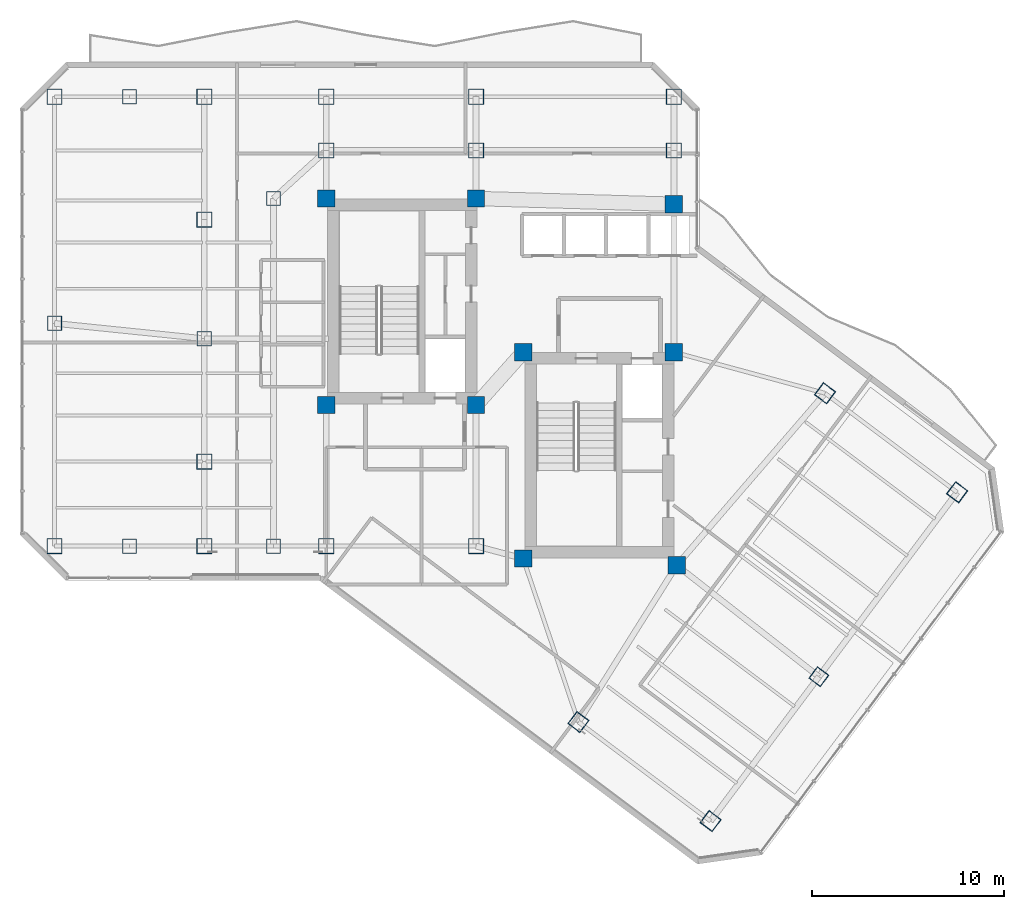
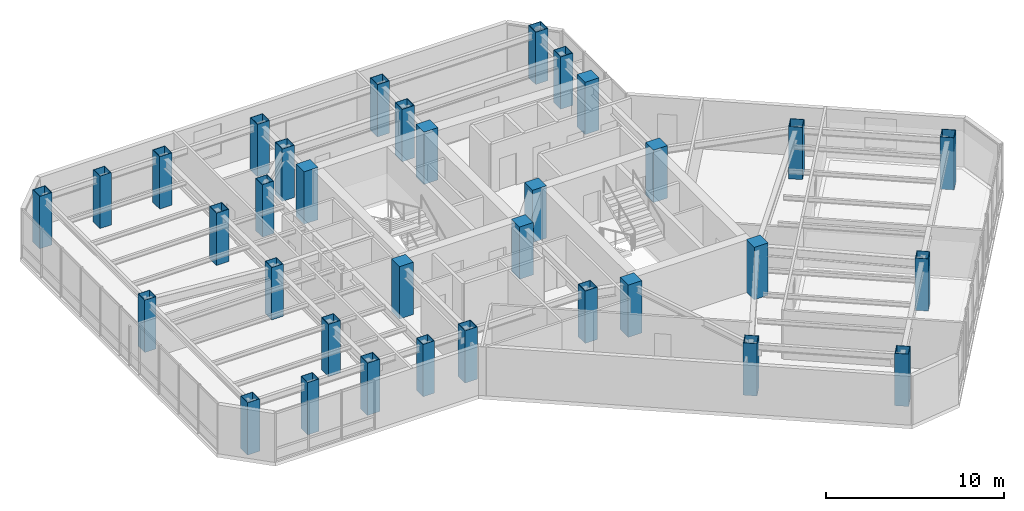
# One storey, part 1 of 27: 34 columns.
"""IFC4 building model written with IfcOpenShell, lengths in metres."""

from ifc_helpers import new_model, si_unit, direction, frame, origin, origin_2d, place, context, subcontext, project, spatial, rectangle, hollow_rectangle, extrude, material, material_profile, profile_set, type_object, element, save


model = new_model("IFC4")

# Units and contexts
model_context = context("Model", 3, precision=1e-05, world=origin(), true_north=direction((0.0, 1.0)))
body_context = subcontext(model_context, "Body", "Model", "MODEL_VIEW")
ifc_project = project(units=[si_unit("LENGTHUNIT", "METRE"), si_unit("AREAUNIT", "SQUARE_METRE"), si_unit("VOLUMEUNIT", "CUBIC_METRE"), si_unit("PLANEANGLEUNIT", "RADIAN"), si_unit("MASSUNIT", "GRAM", prefix="KILO")], contexts=[model_context])

# Site, building, storey
site_placement = place(None, origin())
site = spatial("IfcSite", under=ifc_project, at=site_placement, CompositionType="ELEMENT")
building_placement = place(site_placement, origin())
building = spatial("IfcBuilding", under=site, at=building_placement, Name="Hatsunagi Terrace Concourse", CompositionType="ELEMENT")
storey_placement = place(building_placement, frame((0.0, 0.0, 174.449951171875)))
storey = spatial("IfcBuildingStorey", under=building, at=storey_placement, Name="L46", CompositionType="ELEMENT", Elevation=174.449951171875)

# Columns
ifc_material_1 = material(Name="Concrete Fc48", Category="concrete")
ifc_material_profile_1 = material_profile(ifc_material_1, rectangle(XDim=0.89990234375, YDim=0.89990234375, at=origin_2d()), Name="RC-900x900")
ifc_profile_set_1 = profile_set([ifc_material_profile_1], Name="Concrete Fc48")
column_type_1 = type_object("IfcColumnType", Name="CoreColumn_RC_900x900", PredefinedType="COLUMN", material=ifc_profile_set_1)
for number, where, z_axis, x_axis, name in (
    (1, (25.550048828125, 32.550048828125, 0.0), (0.0, 0.0, 1.0), (1.0, 0.0, 0.0), "Column C-02 L46-CASW"),
    (2, (33.35009765625, 32.550048828125, 0.0), (0.0, 0.0, 1.0), (1.0, 0.0, 0.0), "Column C-02 L46-CASE"),
    (3, (25.550048828125, 43.300048828125, 0.0), (0.0, 0.0, 1.0), (1.0, 0.0, 0.0), "Column C-02 L46-CANW"),
    (4, (33.35009765625, 43.300048828125, 0.0), (0.0, 0.0, 1.0), (1.0, 0.0, 0.0), "Column C-02 L46-CANE"),
    (5, (35.800048828125, 24.550048828125, 0.0), (0.0, 0.0, 1.0), (1.0, 0.0, 0.0), "Column C-02 L46-CBSW"),
    (6, (43.800048828125, 24.199951171875, 0.0), (0.0, 0.0, 1.0), (1.0, 0.0, 0.0), "Column C-02 L46-CBSE"),
    (7, (35.800048828125, 35.300048828125, 0.0), (0.0, 0.0, 1.0), (1.0, 0.0, 0.0), "Column C-02 L46-CBNW"),
    (8, (43.64990234375, 35.300048828125, 0.0), (0.0, 0.0, 1.0), (1.0, 0.0, 0.0), "Column C-02 L46-CBNE"),
    (9, (43.64990234375, 43.0, 0.0), (0.0, 0.0, 1.0), (1.0, 0.0, 0.0), "Column C-02 L46-K3"),
):
    element("IfcColumn", number, at=place(storey_placement, frame(where, z_axis=z_axis, x_axis=x_axis)), inside=storey, type_object=column_type_1, Name=name, PredefinedType="COLUMN", context=body_context, shape_type="SweptSolid", body=[
        extrude(rectangle(XDim=0.89990234375, YDim=0.89990234375, at=origin_2d()), origin(), (0.0, 0.0, 1.0), 3.60009765625),
    ])
ifc_material_2 = material(Name="Steel BCP325T", Category="steel")
ifc_material_profile_2 = material_profile(ifc_material_2, hollow_rectangle(XDim=0.75, YDim=0.75, WallThickness=0.028076171875, at=origin_2d()), Name="BCP-750x750x28")
ifc_profile_set_2 = profile_set([ifc_material_profile_2], Name="Steel BCP325T")
column_type_2 = type_object("IfcColumnType", Name="TowerBoxColumn_750x750x28", PredefinedType="COLUMN", material=ifc_profile_set_2)
for number, where, z_axis, x_axis, name in (
    (10, (22.800048828125, 25.199951171875, 0.0), (0.0, 0.0, 1.0), (1.0, 0.0, 0.0), "Column C-07 L46-CW1"),
    (11, (22.800048828125, 43.300048828125, 0.0), (0.0, 0.0, 1.0), (1.0, 0.0, 0.0), "Column C-07 L46-CW2"),
    (12, (11.39990234375, 36.800048828125, 0.0), (0.0, 0.0, 1.0), (1.0, 0.0, 0.0), "Column C-07 L46-WT1"),
    (13, (19.199951171875, 36.0, 0.0), (0.0, 0.0, 1.0), (1.0, 0.0, 0.0), "Column C-07 L46-WT2"),
    (14, (15.300048828125, 25.199951171875, 0.0), (0.0, 0.0, 1.0), (1.0, 0.0, 0.0), "Column C-07 L46-WT3"),
    (15, (15.300048828125, 48.60009765625, 0.0), (0.0, 0.0, 1.0), (1.0, 0.0, 0.0), "Column C-07 L46-WT4"),
    (16, (51.199951171875, 18.39990234375, 0.0), (0.0, 0.0, 1.0), (0.799999996291, -0.600000004945, 0.0), "Column C-07 L46-SEM2"),
):
    element("IfcColumn", number, at=place(storey_placement, frame(where, z_axis=z_axis, x_axis=x_axis)), inside=storey, type_object=column_type_2, Name=name, PredefinedType="COLUMN", context=body_context, shape_type="SweptSolid", body=[
        extrude(hollow_rectangle(XDim=0.75, YDim=0.75, WallThickness=0.028076171875, at=origin_2d()), origin(), (0.0, 0.0, 1.0), 3.60009765625),
    ])
ifc_material_3 = material(Name="Steel BCP325T", Category="steel")
ifc_material_profile_3 = material_profile(ifc_material_3, hollow_rectangle(XDim=0.800048828125, YDim=0.800048828125, WallThickness=0.031982421875, at=origin_2d()), Name="BCP-800x800x32")
ifc_profile_set_3 = profile_set([ifc_material_profile_3], Name="Steel BCP325T")
column_type_3 = type_object("IfcColumnType", Name="TowerBoxColumn_800x800x32", PredefinedType="COLUMN", material=ifc_profile_set_3)
for number, where, z_axis, x_axis, name in (
    (17, (25.550048828125, 25.199951171875, 0.0), (0.0, 0.0, 1.0), (1.0, 0.0, 0.0), "Column C-06 L46-K1"),
    (18, (33.35009765625, 25.199951171875, 0.0), (0.0, 0.0, 1.0), (1.0, 0.0, 0.0), "Column C-06 L46-K2"),
    (19, (25.550048828125, 45.800048828125, 0.0), (0.0, 0.0, 1.0), (1.0, 0.0, 0.0), "Column C-06 L46-CN1"),
    (20, (33.35009765625, 45.800048828125, 0.0), (0.0, 0.0, 1.0), (1.0, 0.0, 0.0), "Column C-06 L46-CN2"),
    (21, (43.64990234375, 45.800048828125, 0.0), (0.0, 0.0, 1.0), (1.0, 0.0, 0.0), "Column C-06 L46-CN3"),
    (22, (11.39990234375, 25.199951171875, 0.0), (0.0, 0.0, 1.0), (1.0, 0.0, 0.0), "Column C-06 L46-WS2"),
    (23, (11.39990234375, 48.60009765625, 0.0), (0.0, 0.0, 1.0), (1.0, 0.0, 0.0), "Column C-06 L46-WN2"),
    (24, (19.199951171875, 48.60009765625, 0.0), (0.0, 0.0, 1.0), (1.0, 0.0, 0.0), "Column C-06 L46-WN3"),
    (25, (25.550048828125, 48.60009765625, 0.0), (0.0, 0.0, 1.0), (1.0, 0.0, 0.0), "Column C-06 L46-WN4"),
    (26, (33.35009765625, 48.60009765625, 0.0), (0.0, 0.0, 1.0), (1.0, 0.0, 0.0), "Column C-06 L46-WN5"),
    (27, (43.64990234375, 48.60009765625, 0.0), (0.0, 0.0, 1.0), (1.0, 0.0, 0.0), "Column C-06 L46-WN6"),
    (28, (19.199951171875, 25.199951171875, 0.0), (0.0, 0.0, 1.0), (1.0, 0.0, 0.0), "Column C-06 L46-WS3"),
    (29, (19.199951171875, 29.60009765625, 0.0), (0.0, 0.0, 1.0), (1.0, 0.0, 0.0), "Column C-06 L46-WR1"),
    (30, (19.199951171875, 42.199951171875, 0.0), (0.0, 0.0, 1.0), (1.0, 0.0, 0.0), "Column C-06 L46-WR2"),
    (31, (38.679931640625, 16.0400390625, 0.0), (0.0, 0.0, 1.0), (0.799999996291, -0.600000004945, 0.0), "Column C-06 L46-SES1"),
    (32, (51.52001953125, 33.159912109375, 0.0), (0.0, 0.0, 1.0), (0.799999996291, -0.600000004945, 0.0), "Column C-06 L46-SEN1"),
    (33, (45.56005859375, 10.8798828125, 0.0), (0.0, 0.0, 1.0), (0.799999996291, -0.600000004945, 0.0), "Column C-06 L46-SES2"),
    (34, (58.39990234375, 28.0, 0.0), (0.0, 0.0, 1.0), (0.799999996291, -0.600000004945, 0.0), "Column C-06 L46-SEN2"),
):
    element("IfcColumn", number, at=place(storey_placement, frame(where, z_axis=z_axis, x_axis=x_axis)), inside=storey, type_object=column_type_3, Name=name, PredefinedType="COLUMN", context=body_context, shape_type="SweptSolid", body=[
        extrude(hollow_rectangle(XDim=0.800048828125, YDim=0.800048828125, WallThickness=0.031982421875, at=origin_2d()), origin(), (0.0, 0.0, 1.0), 3.60009765625),
    ])

save(model, "model.ifc")
